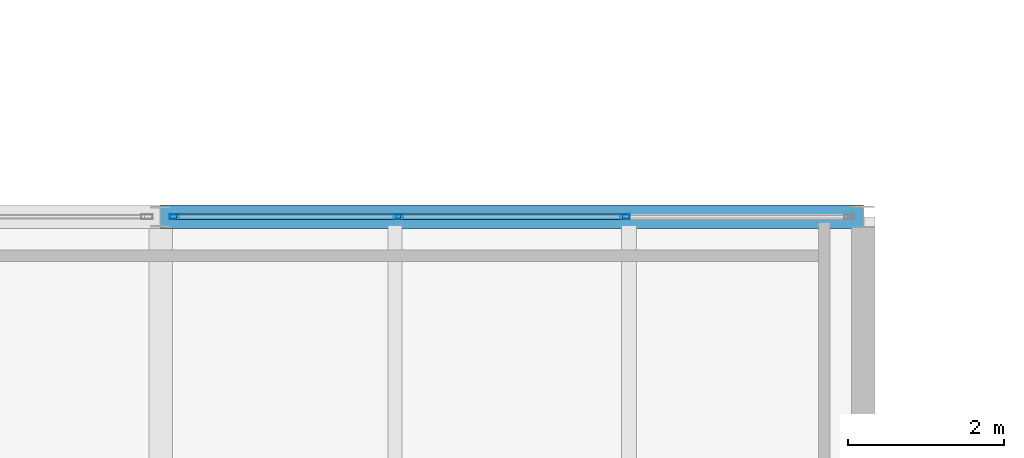
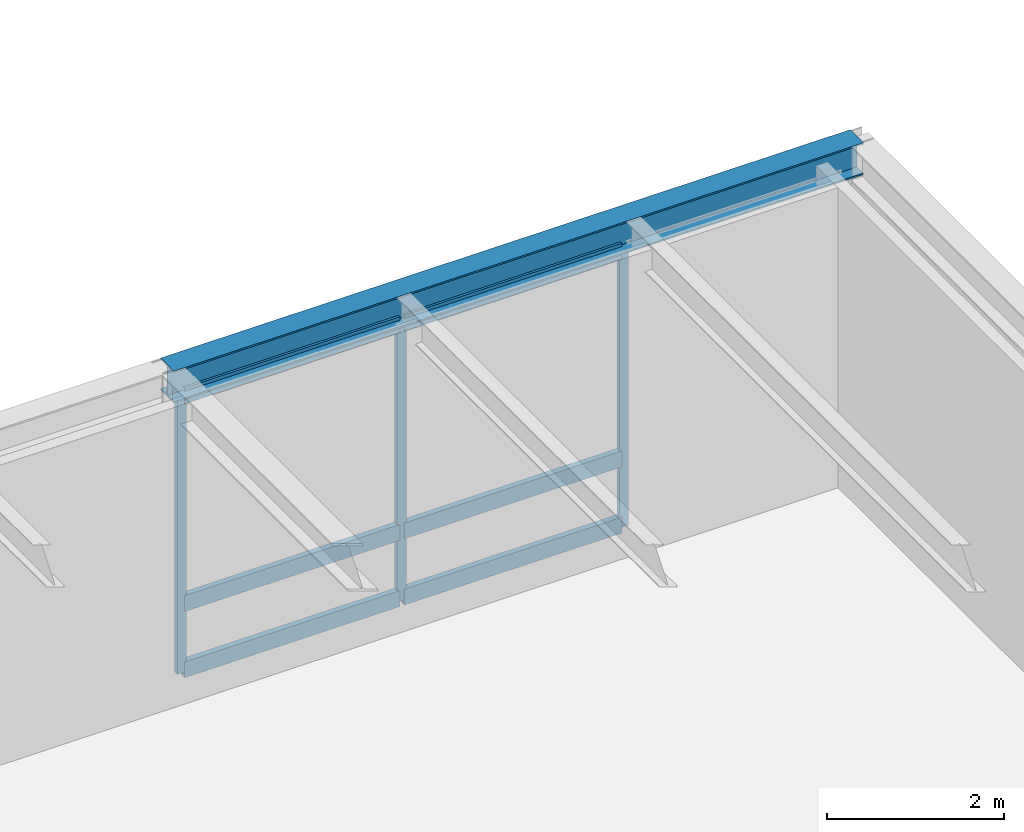
# One storey, part 22 of 142: 9 members, 1 beam, 1 element without a shape of its own.
"""IFC4 building model written with IfcOpenShell, lengths in metres."""

from ifc_helpers import new_model, si_unit, direction, frame, origin, origin_2d, place, context, subcontext, project, spatial, hollow_rectangle, i_section, extrude, material, layer, layer_set, material_profile, profile_set, type_object, element, aggregate, save


model = new_model("IFC4")

# Units and contexts
model_context = context("Model", 3, precision=1e-05, world=origin(), true_north=direction((0.0, 1.0)))
body_context = subcontext(model_context, "Body", "Model", "MODEL_VIEW")
ifc_project = project(units=[si_unit("LENGTHUNIT", "METRE"), si_unit("AREAUNIT", "SQUARE_METRE"), si_unit("VOLUMEUNIT", "CUBIC_METRE"), si_unit("PLANEANGLEUNIT", "RADIAN"), si_unit("MASSUNIT", "GRAM", prefix="KILO")], contexts=[model_context])

# Site, building, storey
site_placement = place(None, origin())
site = spatial("IfcSite", under=ifc_project, at=site_placement, CompositionType="ELEMENT")
building_placement = place(site_placement, origin())
building = spatial("IfcBuilding", under=site, at=building_placement, Name="Montelvaro Courts of Justice", CompositionType="ELEMENT")
storey_placement = place(building_placement, frame((0.0, 0.0, 14.39990234375)))
storey = spatial("IfcBuildingStorey", under=building, at=storey_placement, Name="L03", CompositionType="ELEMENT", Elevation=14.39990234375)

# Beam
ifc_material_1 = material(Name="Steel S355", Category="steel")
ifc_material_profile_1 = material_profile(ifc_material_1, i_section(OverallWidth=0.300048828125, OverallDepth=0.43994140625, WebThickness=0.011474609375, FlangeThickness=0.02099609375, at=origin_2d()), Name="HEA 450")
ifc_profile_set_1 = profile_set([ifc_material_profile_1], Name="Steel S355")
beam_type = type_object("IfcBeamType", Name="Beam_HEA450", PredefinedType="USERDEFINED", material=ifc_profile_set_1)
beam_placement = place(storey_placement, frame((36.0, 54.0, 4.080078125), z_axis=(1.0, 0.0, 0.0), x_axis=(0.0, 1.0, 0.0)))
element("IfcBeam", 1, at=beam_placement, inside=storey, type_object=beam_type, Name="Beam B-18 L03", ObjectType="GIRDER", PredefinedType="USERDEFINED", context=body_context, shape_type="SweptSolid", body=[
    extrude(i_section(OverallWidth=0.300048828125, OverallDepth=0.43994140625, WebThickness=0.011474609375, FlangeThickness=0.02099609375, at=origin_2d()), origin(), (0.0, 0.0, 1.0), 9.0),
])

# Curtain wall, members
ifc_material_2 = material(Name="Anodised aluminium EN AW-6063", Category="aluminium")
ifc_layer = layer(ifc_material_2, 0.159912109375)
ifc_layer_set = layer_set([ifc_layer], Name="Anodised aluminium EN AW-6063")
curtain_wall_type = type_object("IfcCurtainWallType", Name="CurtainWall_18_868x418", PredefinedType="USERDEFINED", material=ifc_layer_set)
curtain_wall_placement = place(storey_placement, origin())
curtain_wall = element("IfcCurtainWall", 2, at=curtain_wall_placement, inside=storey, type_object=curtain_wall_type, Name="Curtain Wall CW-18 (L03)", ObjectType="CURTAIN WALL", PredefinedType="USERDEFINED")
ifc_material_profile_2 = material_profile(ifc_material_2, hollow_rectangle(XDim=0.06005859375, YDim=0.1201171875, WallThickness=0.00341796875, at=origin_2d()), Name="ALU-M 60x120")
ifc_profile_set_2 = profile_set([ifc_material_profile_2], Name="Anodised aluminium EN AW-6063")
member_type_1 = type_object("IfcMemberType", Name="CurtainWall_Mullion_60x120", PredefinedType="MULLION", material=ifc_profile_set_2)
member_1_placement = place(storey_placement, frame((41.945068359375, 54.0, 0.0), z_axis=(0.0, 0.0, 1.0), x_axis=(0.0, -1.0, 0.0)))
member_1 = element("IfcMember", 3, at=member_1_placement, type_object=member_type_1, Name="CW-18 mullion 2", PredefinedType="MULLION", context=body_context, shape_type="SweptSolid", body=[
    extrude(hollow_rectangle(XDim=0.06005859375, YDim=0.1201171875, WallThickness=0.00341796875, at=origin_2d()), origin(), (0.0, 0.0, 1.0), 3.85498046875),
])
member_2_placement = place(storey_placement, frame((39.044921875, 54.0, 0.0), z_axis=(0.0, 0.0, 1.0), x_axis=(0.0, -1.0, 0.0)))
member_2 = element("IfcMember", 4, at=member_2_placement, type_object=member_type_1, Name="CW-18 mullion 3", PredefinedType="MULLION", context=body_context, shape_type="SweptSolid", body=[
    extrude(hollow_rectangle(XDim=0.06005859375, YDim=0.1201171875, WallThickness=0.00341796875, at=origin_2d()), origin(), (0.0, 0.0, 1.0), 3.85498046875),
])
member_3_placement = place(storey_placement, frame((36.175048828125, 54.0, 0.0), z_axis=(0.0, 0.0, 1.0), x_axis=(0.0, -1.0, 0.0)))
member_3 = element("IfcMember", 5, at=member_3_placement, type_object=member_type_1, Name="CW-18 mullion 4", PredefinedType="MULLION", context=body_context, shape_type="SweptSolid", body=[
    extrude(hollow_rectangle(XDim=0.06005859375, YDim=0.1201171875, WallThickness=0.00341796875, at=origin_2d()), origin(), (0.0, 0.0, 1.0), 3.85498046875),
])
ifc_material_profile_3 = material_profile(ifc_material_2, hollow_rectangle(XDim=0.074951171875, YDim=0.219970703125, WallThickness=0.005615234375, at=origin_2d()), Name="ALU-T 75x220")
ifc_profile_set_3 = profile_set([ifc_material_profile_3], Name="Anodised aluminium EN AW-6063")
member_type_2 = type_object("IfcMemberType", Name="CurtainWall_Transom_75x220", PredefinedType="USERDEFINED", material=ifc_profile_set_3)
member_4_placement = place(storey_placement, frame((41.9150390625, 54.0, 0.03759765625), z_axis=(-1.0, 0.0, 0.0), x_axis=(0.0, -1.0, 0.0)))
member_4 = element("IfcMember", 6, at=member_4_placement, type_object=member_type_2, Name="CW-18 transom 2.1", ObjectType="TRANSOM", PredefinedType="USERDEFINED", context=body_context, shape_type="SweptSolid", body=[
    extrude(hollow_rectangle(XDim=0.074951171875, YDim=0.219970703125, WallThickness=0.005615234375, at=origin_2d()), origin(), (0.0, 0.0, 1.0), 2.840087890625),
])
member_5_placement = place(storey_placement, frame((41.9150390625, 54.0, 0.9501953125), z_axis=(-1.0, 0.0, 0.0), x_axis=(0.0, -1.0, 0.0)))
member_5 = element("IfcMember", 7, at=member_5_placement, type_object=member_type_2, Name="CW-18 transom 2.2", ObjectType="TRANSOM", PredefinedType="USERDEFINED", context=body_context, shape_type="SweptSolid", body=[
    extrude(hollow_rectangle(XDim=0.074951171875, YDim=0.219970703125, WallThickness=0.005615234375, at=origin_2d()), origin(), (0.0, 0.0, 1.0), 2.840087890625),
])
member_6_placement = place(storey_placement, frame((41.9150390625, 54.0, 3.817626953125), z_axis=(-1.0, 0.0, 0.0), x_axis=(0.0, -1.0, 0.0)))
member_6 = element("IfcMember", 8, at=member_6_placement, type_object=member_type_2, Name="CW-18 transom 2.3", ObjectType="TRANSOM", PredefinedType="USERDEFINED", context=body_context, shape_type="SweptSolid", body=[
    extrude(hollow_rectangle(XDim=0.074951171875, YDim=0.219970703125, WallThickness=0.005615234375, at=origin_2d()), origin(), (0.0, 0.0, 1.0), 2.840087890625),
])
member_7_placement = place(storey_placement, frame((39.014892578125, 54.0, 0.03759765625), z_axis=(-1.0, 0.0, 0.0), x_axis=(0.0, -1.0, 0.0)))
member_7 = element("IfcMember", 9, at=member_7_placement, type_object=member_type_2, Name="CW-18 transom 3.1", ObjectType="TRANSOM", PredefinedType="USERDEFINED", context=body_context, shape_type="SweptSolid", body=[
    extrude(hollow_rectangle(XDim=0.074951171875, YDim=0.219970703125, WallThickness=0.005615234375, at=origin_2d()), origin(), (0.0, 0.0, 1.0), 2.809814453125),
])
member_8_placement = place(storey_placement, frame((39.014892578125, 54.0, 0.9501953125), z_axis=(-1.0, 0.0, 0.0), x_axis=(0.0, -1.0, 0.0)))
member_8 = element("IfcMember", 10, at=member_8_placement, type_object=member_type_2, Name="CW-18 transom 3.2", ObjectType="TRANSOM", PredefinedType="USERDEFINED", context=body_context, shape_type="SweptSolid", body=[
    extrude(hollow_rectangle(XDim=0.074951171875, YDim=0.219970703125, WallThickness=0.005615234375, at=origin_2d()), origin(), (0.0, 0.0, 1.0), 2.809814453125),
])
member_9_placement = place(storey_placement, frame((39.014892578125, 54.0, 3.817626953125), z_axis=(-1.0, 0.0, 0.0), x_axis=(0.0, -1.0, 0.0)))
member_9 = element("IfcMember", 11, at=member_9_placement, type_object=member_type_2, Name="CW-18 transom 3.3", ObjectType="TRANSOM", PredefinedType="USERDEFINED", context=body_context, shape_type="SweptSolid", body=[
    extrude(hollow_rectangle(XDim=0.074951171875, YDim=0.219970703125, WallThickness=0.005615234375, at=origin_2d()), origin(), (0.0, 0.0, 1.0), 2.809814453125),
])
aggregate(curtain_wall, [member_1, member_2, member_3, member_4, member_5, member_6, member_7, member_8, member_9])

save(model, "model.ifc")
